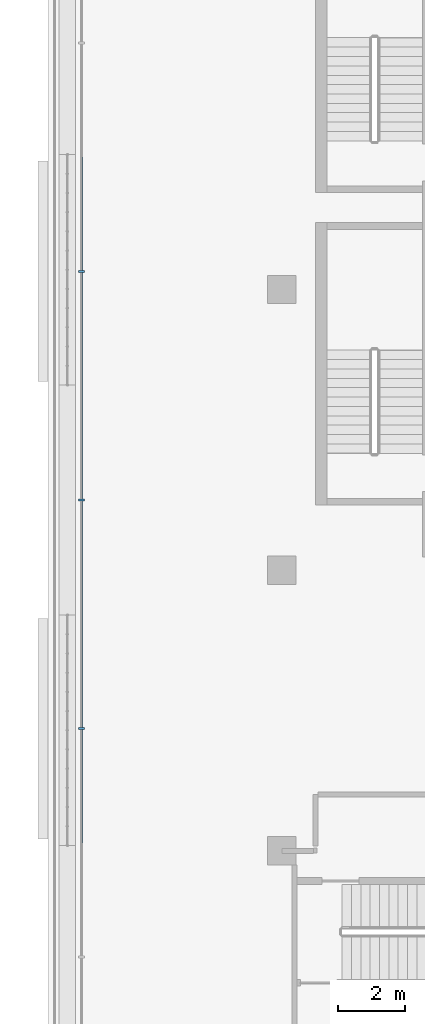
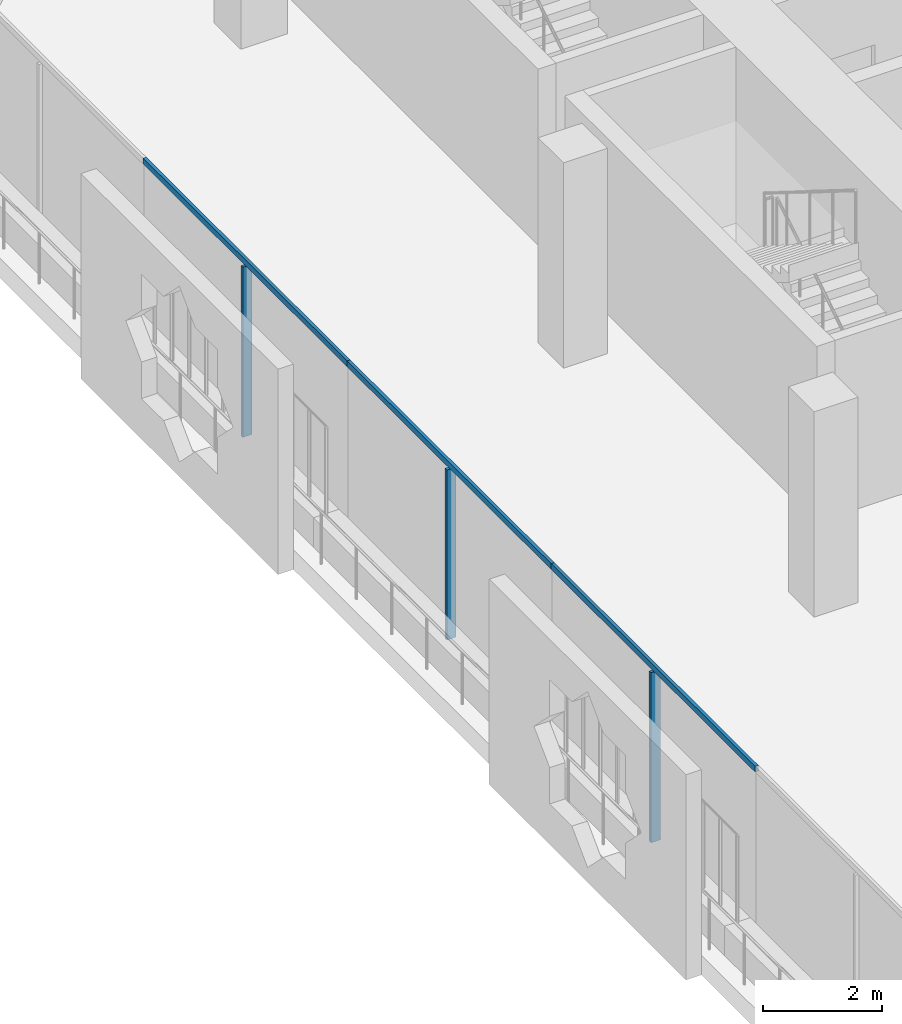
# One storey, part 3 of 23: 6 members, 1 element without a shape of its own.
"""IFC4 building model written with IfcOpenShell, lengths in metres."""

from ifc_helpers import new_model, si_unit, direction, frame, origin, origin_2d, place, context, subcontext, project, spatial, rectangle, extrude, material, layer, layer_set, material_profile, profile_set, type_object, element, aggregate, save


model = new_model("IFC4")

# Units and contexts
model_context = context("Model", 3, precision=1e-05, world=origin(), true_north=direction((0.0, 1.0)))
body_context = subcontext(model_context, "Body", "Model", "MODEL_VIEW")
ifc_project = project(units=[si_unit("LENGTHUNIT", "METRE"), si_unit("AREAUNIT", "SQUARE_METRE"), si_unit("VOLUMEUNIT", "CUBIC_METRE"), si_unit("PLANEANGLEUNIT", "RADIAN"), si_unit("MASSUNIT", "GRAM", prefix="KILO")], contexts=[model_context])

# Site, building, storey
site_placement = place(None, origin())
site = spatial("IfcSite", under=ifc_project, at=site_placement, CompositionType="ELEMENT")
building_placement = place(site_placement, origin())
building = spatial("IfcBuilding", under=site, at=building_placement, Name="Kawkab Arch Medical Tower", CompositionType="ELEMENT")
storey_placement = place(building_placement, frame((0.0, 0.0, 247.39990234375)))
storey = spatial("IfcBuildingStorey", under=building, at=storey_placement, Name="L57", CompositionType="ELEMENT", Elevation=247.39990234375)

# Curtain wall, members
ifc_material_1 = material(Name="Bronze anodised aluminium curtain wall frame", Category="aluminium")
ifc_layer = layer(ifc_material_1, 0.159912109375)
ifc_layer_set = layer_set([ifc_layer], Name="Bronze anodised aluminium curtain wall frame")
curtain_wall_type = type_object("IfcCurtainWallType", Name="CW1 ward curtain wall", PredefinedType="NOTDEFINED", material=ifc_layer_set)
curtain_wall_placement = place(storey_placement, origin())
curtain_wall = element("IfcCurtainWall", 1, at=curtain_wall_placement, inside=storey, type_object=curtain_wall_type, Name="CW1 Ward curtain wall R01", PredefinedType="NOTDEFINED")
ifc_material_2 = material(Name="Bronze anodised aluminium curtain wall frame", Category="aluminium")
ifc_material_profile_1 = material_profile(ifc_material_2, rectangle(XDim=0.179931640625, YDim=0.06005859375, at=origin_2d()), Name="AL 60x180")
ifc_profile_set_1 = profile_set([ifc_material_profile_1], Name="Bronze anodised aluminium curtain wall frame")
member_type_1 = type_object("IfcMemberType", Name="CW1 mullion 60 x 180", PredefinedType="MULLION", material=ifc_profile_set_1)
member_1_placement = place(storey_placement, frame((-6.0, -16.260009765625, 0.0), z_axis=(0.0, 0.0, 1.0), x_axis=(1.0, 0.0, 0.0)))
member_1 = element("IfcMember", 2, at=member_1_placement, type_object=member_type_1, Name="CW1 mullion 2.1", PredefinedType="MULLION", context=body_context, shape_type="SweptSolid", body=[
    extrude(rectangle(XDim=0.179931640625, YDim=0.06005859375, at=origin_2d()), origin(), (0.0, 0.0, 1.0), 3.47998046875),
])
member_2_placement = place(storey_placement, frame((-6.0, -23.10009765625, 0.0), z_axis=(0.0, 0.0, 1.0), x_axis=(1.0, 0.0, 0.0)))
member_2 = element("IfcMember", 3, at=member_2_placement, type_object=member_type_1, Name="CW1 mullion 3.1", PredefinedType="MULLION", context=body_context, shape_type="SweptSolid", body=[
    extrude(rectangle(XDim=0.179931640625, YDim=0.06005859375, at=origin_2d()), origin(), (0.0, 0.0, 1.0), 3.47998046875),
])
member_3_placement = place(storey_placement, frame((-6.0, -29.93994140625, 0.0), z_axis=(0.0, 0.0, 1.0), x_axis=(1.0, 0.0, 0.0)))
member_3 = element("IfcMember", 4, at=member_3_placement, type_object=member_type_1, Name="CW1 mullion 4.1", PredefinedType="MULLION", context=body_context, shape_type="SweptSolid", body=[
    extrude(rectangle(XDim=0.179931640625, YDim=0.06005859375, at=origin_2d()), origin(), (0.0, 0.0, 1.0), 3.47998046875),
])
ifc_material_3 = material(Name="Bronze anodised aluminium curtain wall frame", Category="aluminium")
ifc_material_profile_2 = material_profile(ifc_material_3, rectangle(XDim=0.06005859375, YDim=0.1201171875, at=origin_2d()), Name="AL 60x120")
ifc_profile_set_2 = profile_set([ifc_material_profile_2], Name="Bronze anodised aluminium curtain wall frame")
member_type_2 = type_object("IfcMemberType", Name="CW1 transom 120 x 60", PredefinedType="USERDEFINED", material=ifc_profile_set_2)
member_4_placement = place(storey_placement, frame((-6.0, -12.840087890625, 3.5400390625), z_axis=(0.0, -1.0, 0.0), x_axis=(1.0, 0.0, 0.0)))
member_4 = element("IfcMember", 5, at=member_4_placement, type_object=member_type_2, Name="CW1 transom 2", ObjectType="TRANSOM", PredefinedType="USERDEFINED", context=body_context, shape_type="SweptSolid", body=[
    extrude(rectangle(XDim=0.06005859375, YDim=0.1201171875, at=origin_2d()), origin(), (0.0, 0.0, 1.0), 6.83984375),
])
member_5_placement = place(storey_placement, frame((-6.0, -19.679931640625, 3.5400390625), z_axis=(0.0, -1.0, 0.0), x_axis=(1.0, 0.0, 0.0)))
member_5 = element("IfcMember", 6, at=member_5_placement, type_object=member_type_2, Name="CW1 transom 3", ObjectType="TRANSOM", PredefinedType="USERDEFINED", context=body_context, shape_type="SweptSolid", body=[
    extrude(rectangle(XDim=0.06005859375, YDim=0.1201171875, at=origin_2d()), origin(), (0.0, 0.0, 1.0), 6.840087890625),
])
member_6_placement = place(storey_placement, frame((-6.0, -26.52001953125, 3.5400390625), z_axis=(0.0, -1.0, 0.0), x_axis=(1.0, 0.0, 0.0)))
member_6 = element("IfcMember", 7, at=member_6_placement, type_object=member_type_2, Name="CW1 transom 4", ObjectType="TRANSOM", PredefinedType="USERDEFINED", context=body_context, shape_type="SweptSolid", body=[
    extrude(rectangle(XDim=0.06005859375, YDim=0.1201171875, at=origin_2d()), origin(), (0.0, 0.0, 1.0), 6.840087890625),
])
aggregate(curtain_wall, [member_4, member_1, member_5, member_2, member_6, member_3])

save(model, "model.ifc")
